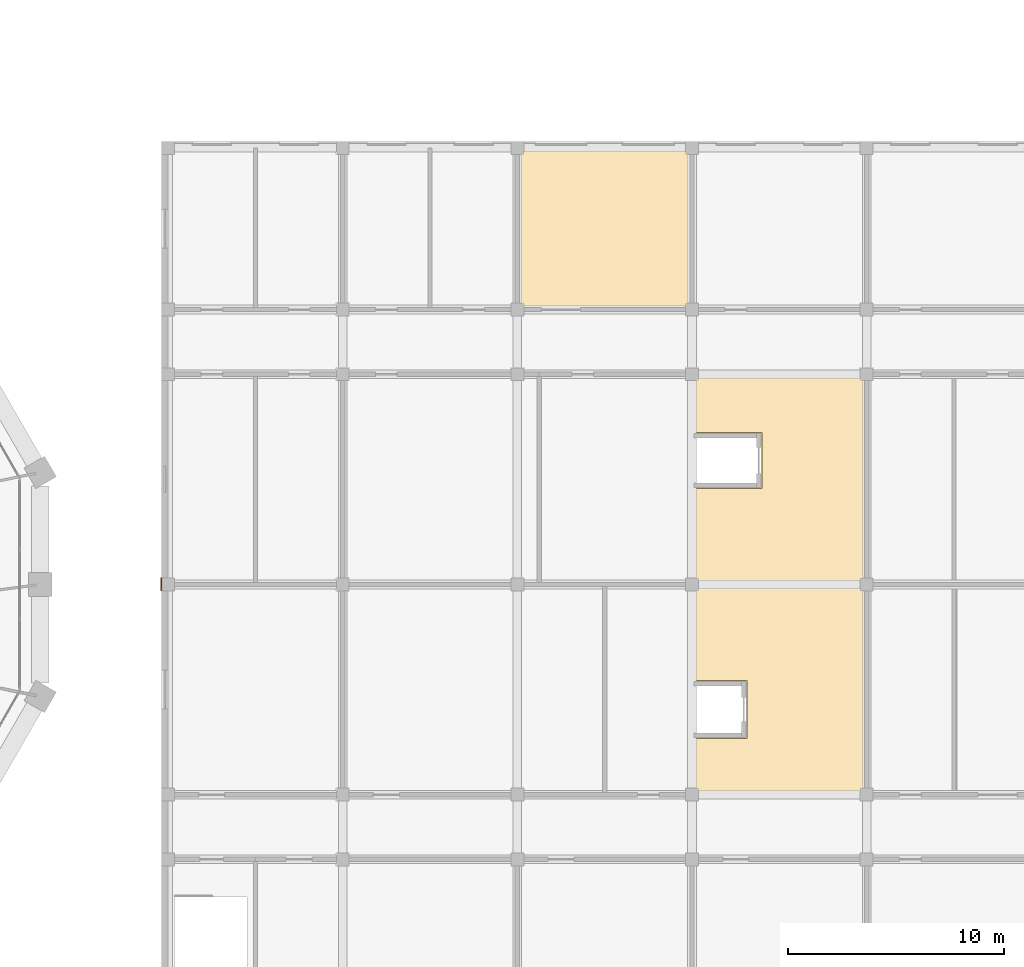
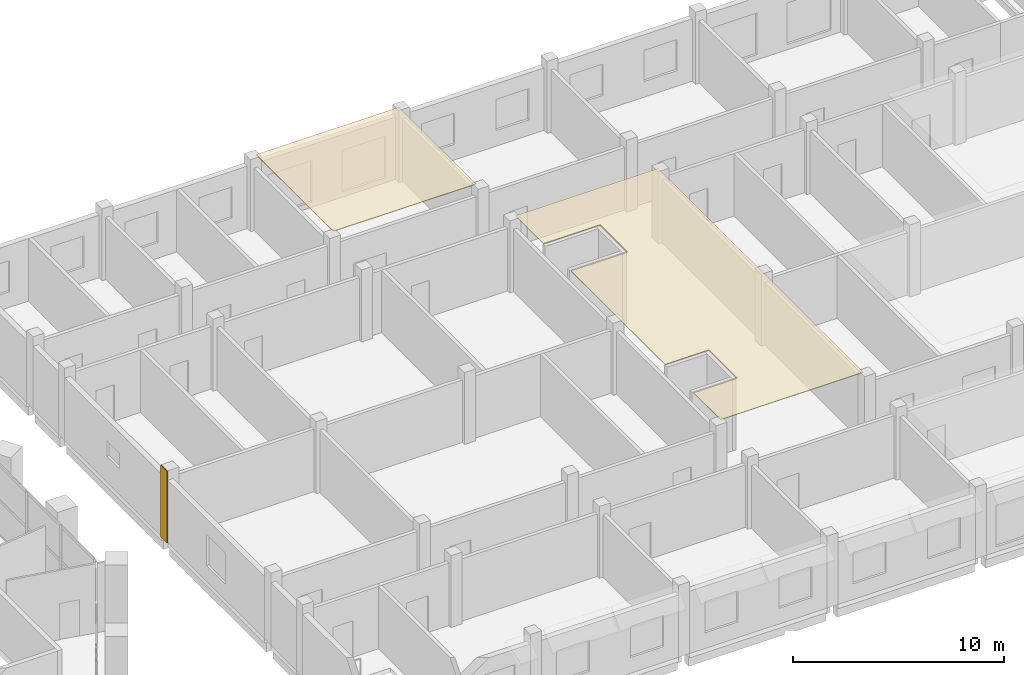
# One storey, part 35 of 38: 3 coverings.
"""IFC4 building model written with IfcOpenShell, lengths in metres."""

from ifc_helpers import new_model, si_unit, direction, frame, origin, origin_2d, place, context, subcontext, project, spatial, polyline, rectangle, outline, extrude, material, layer, layer_set, type_object, element, save


model = new_model("IFC4")

# Units and contexts
model_context = context("Model", 3, precision=1e-05, world=origin(), true_north=direction((0.0, 1.0)))
body_context = subcontext(model_context, "Body", "Model", "MODEL_VIEW")
ifc_project = project(units=[si_unit("LENGTHUNIT", "METRE"), si_unit("AREAUNIT", "SQUARE_METRE"), si_unit("VOLUMEUNIT", "CUBIC_METRE"), si_unit("PLANEANGLEUNIT", "RADIAN"), si_unit("MASSUNIT", "GRAM", prefix="KILO")], contexts=[model_context])

# Site, building, storey
site_placement = place(None, origin())
site = spatial("IfcSite", under=ifc_project, at=site_placement, CompositionType="ELEMENT")
building_placement = place(site_placement, origin())
building = spatial("IfcBuilding", under=site, at=building_placement, Name="Frailejon Research Tower", CompositionType="ELEMENT")
storey_placement = place(building_placement, frame((0.0, 0.0, 10.199951171875)))
storey = spatial("IfcBuildingStorey", under=building, at=storey_placement, Name="L02", CompositionType="ELEMENT", Elevation=10.199951171875)

# Coverings
ifc_material_1 = material(Name="Aluminium cover plate", Category="aluminium")
covering_type_1 = type_object("IfcCoveringType", Name="HC joint cover", PredefinedType="USERDEFINED", material=ifc_material_1)
covering_1_placement = place(storey_placement, frame((44.175048828125, 0.0, 0.0), z_axis=(0.0, 0.0, 1.0), x_axis=(1.0, 0.0, 0.0)))
element("IfcCovering", 1, at=covering_1_placement, inside=storey, type_object=covering_type_1, Name="Movement joint cover L02", ObjectType="MOVEMENT JOINT COVER", PredefinedType="USERDEFINED", context=body_context, shape_type="SweptSolid", body=[
    extrude(rectangle(XDim=0.050048828125, YDim=0.60009765625, at=origin_2d()), origin(), (0.0, 0.0, 1.0), 4.14990234375),
])
ifc_material_2 = material(Name="Mineral fibre ceiling board")
ifc_layer = layer(ifc_material_2, 0.0400390625)
ifc_layer_set = layer_set([ifc_layer], Name="Suspended ceiling 40")
covering_type_2 = type_object("IfcCoveringType", Name="Suspended ceiling 40", PredefinedType="CEILING", material=ifc_layer_set)
covering_2_placement = place(storey_placement, frame((0.0, 0.0, 4.110107421875)))
element("IfcCovering", 2, at=covering_2_placement, inside=storey, type_object=covering_type_2, Name="Ceiling Lift lobby H210", PredefinedType="CEILING", context=body_context, shape_type="SweptSolid", body=[
    extrude(outline(polyline([(68.949951171875, 7.050048828125), (72.050048828125, 7.050048828125), (72.050048828125, 4.449951171875), (68.949951171875, 4.449951171875), (68.949951171875, -4.449951171875), (71.35009765625, -4.449951171875), (71.35009765625, -7.14990234375), (68.949951171875, -7.14990234375), (68.949951171875, -9.699951171875), (76.75, -9.699951171875), (76.75, 9.699951171875), (68.949951171875, 9.699951171875), (68.949951171875, 7.050048828125)])), origin(), (0.0, 0.0, 1.0), 0.0400390625),
])
covering_3_placement = place(storey_placement, frame((0.0, 0.0, 4.110107421875)))
element("IfcCovering", 3, at=covering_3_placement, inside=storey, type_object=covering_type_2, Name="Ceiling Training room H228", PredefinedType="CEILING", context=body_context, shape_type="SweptSolid", body=[
    extrude(outline(polyline([(68.64990234375, 20.199951171875), (60.85009765625, 20.199951171875), (60.85009765625, 12.89990234375), (68.64990234375, 12.89990234375), (68.64990234375, 20.199951171875)])), origin(), (0.0, 0.0, 1.0), 0.0400390625),
])

save(model, "model.ifc")
